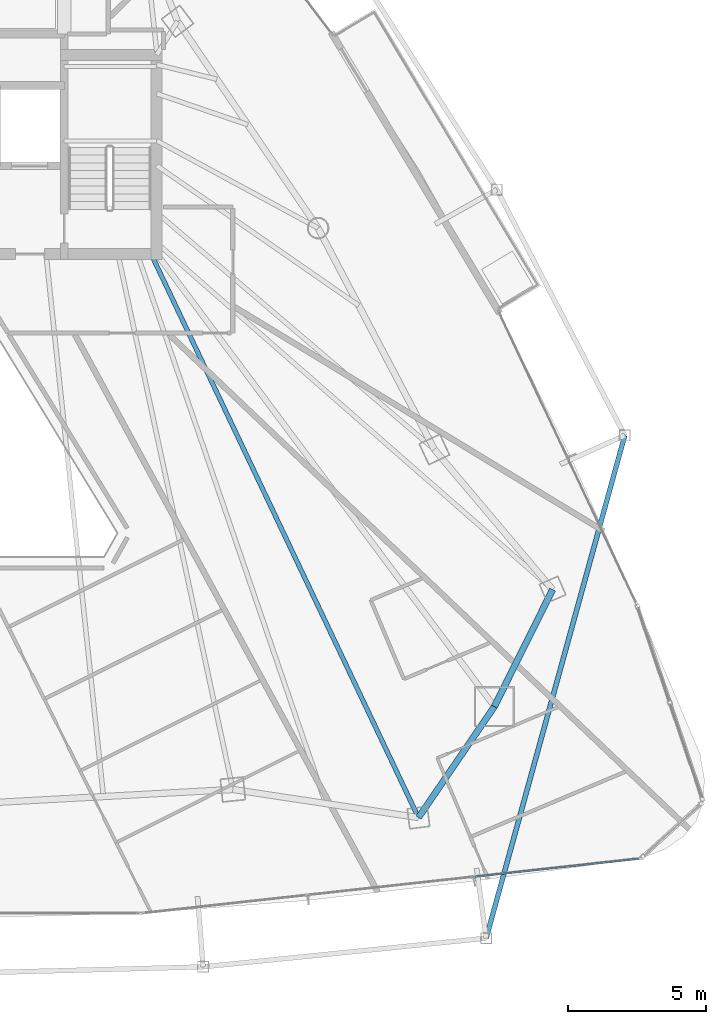
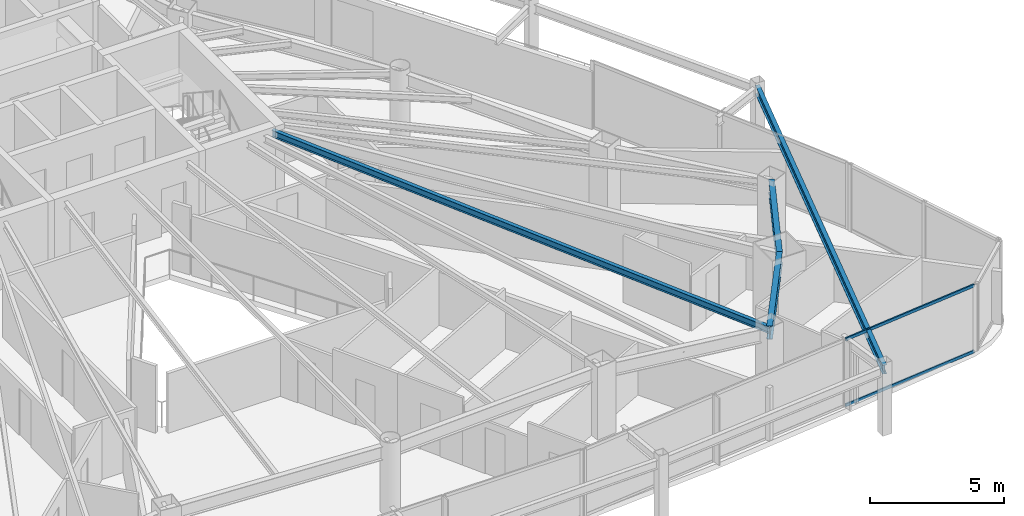
# One storey, part 12 of 31: 4 beams, 2 members, 1 element without a shape of its own.
"""IFC4 building model written with IfcOpenShell, lengths in metres."""

from ifc_helpers import new_model, si_unit, direction, frame, origin, origin_2d, place, context, subcontext, project, spatial, hollow_rectangle, i_section, extrude, material, layer, layer_set, material_profile, profile_set, type_object, element, aggregate, save


model = new_model("IFC4")

# Units and contexts
model_context = context("Model", 3, precision=1e-05, world=origin(), true_north=direction((0.0, 1.0)))
body_context = subcontext(model_context, "Body", "Model", "MODEL_VIEW")
ifc_project = project(units=[si_unit("LENGTHUNIT", "METRE"), si_unit("AREAUNIT", "SQUARE_METRE"), si_unit("VOLUMEUNIT", "CUBIC_METRE"), si_unit("PLANEANGLEUNIT", "RADIAN"), si_unit("MASSUNIT", "GRAM", prefix="KILO")], contexts=[model_context])

# Site, building, storey
site_placement = place(None, origin())
site = spatial("IfcSite", under=ifc_project, at=site_placement, CompositionType="ELEMENT")
building_placement = place(site_placement, origin())
building = spatial("IfcBuilding", under=site, at=building_placement, Name="Orvanel Arch Residences", CompositionType="ELEMENT")
storey_placement = place(building_placement, frame((0.0, 0.0, 110.0)))
storey = spatial("IfcBuildingStorey", under=building, at=storey_placement, Name="L30", CompositionType="ELEMENT", Elevation=110.0)

# Beams
ifc_material_1 = material(Name="Structural steel AS/NZS 3679.1 Grade 300 (300 MPa)", Category="steel")
ifc_material_profile_1 = material_profile(ifc_material_1, i_section(OverallWidth=0.1650390625, OverallDepth=0.303955078125, WebThickness=0.006103515625, FlangeThickness=0.01025390625, at=origin_2d()), Name="310UB40.4")
ifc_profile_set_1 = profile_set([ifc_material_profile_1], Name="Structural steel AS/NZS 3679.1 Grade 300 (300 MPa)")
beam_type_1 = type_object("IfcBeamType", Name="BJ-310UB", PredefinedType="JOIST", material=ifc_profile_set_1)
beam_1_placement = place(storey_placement, frame((39.39990234375, 26.699951171875, 2.907958984375), z_axis=(0.428614365266, -0.903487534993, 0.0), x_axis=(0.903487534993, 0.428614365266, 0.0)))
element("IfcBeam", 1, at=beam_1_placement, inside=storey, type_object=beam_type_1, Name="L30 MSE Wing Floor Joist", PredefinedType="JOIST", context=body_context, shape_type="SweptSolid", body=[
    extrude(i_section(OverallWidth=0.1650390625, OverallDepth=0.303955078125, WebThickness=0.006103515625, FlangeThickness=0.01025390625, at=origin_2d()), origin(), (0.0, 0.0, 1.0), 22.535888671875),
])
ifc_material_profile_2 = material_profile(ifc_material_1, i_section(OverallWidth=0.177978515625, OverallDepth=0.406005859375, WebThickness=0.0078125, FlangeThickness=0.0126953125, at=origin_2d()), Name="410UB59.7")
ifc_profile_set_2 = profile_set([ifc_material_profile_2], Name="Structural steel AS/NZS 3679.1 Grade 300 (300 MPa)")
beam_type_2 = type_object("IfcBeamType", Name="OB-410UB-EXT", PredefinedType="SPANDREL", material=ifc_profile_set_2)
beam_2_placement = place(storey_placement, frame((51.5048828125, 1.98095703125, 2.85693359375), z_axis=(0.265789930022, 0.964030971027, 0.0), x_axis=(-0.964030971027, 0.265789930022, 0.0)))
element("IfcBeam", 2, at=beam_2_placement, inside=storey, type_object=beam_type_2, Name="L30 Outer Perimeter Floor Ring Beam 08", PredefinedType="SPANDREL", context=body_context, shape_type="SweptSolid", body=[
    extrude(i_section(OverallWidth=0.177978515625, OverallDepth=0.406005859375, WebThickness=0.0078125, FlangeThickness=0.0126953125, at=origin_2d()), origin(), (0.0, 0.0, 1.0), 18.845947265625),
])
ifc_material_profile_3 = material_profile(ifc_material_1, i_section(OverallWidth=0.22900390625, OverallDepth=0.612060546875, WebThickness=0.011962890625, FlangeThickness=0.01953125, at=origin_2d()), Name="610UB125")
ifc_profile_set_3 = profile_set([ifc_material_profile_3], Name="Structural steel AS/NZS 3679.1 Grade 300 (300 MPa)")
beam_type_3 = type_object("IfcBeamType", Name="SP-610UB", PredefinedType="SPANDREL", material=ifc_profile_set_3)
beam_3_placement = place(storey_placement, frame((49.05908203125, 6.339111328125, 2.75390625), z_axis=(0.564251579852, 0.825602903722, 0.0), x_axis=(-0.825602903722, 0.564251579852, 0.0)))
element("IfcBeam", 3, at=beam_3_placement, inside=storey, type_object=beam_type_3, Name="L30 Perimeter Spandrel Beam 08", PredefinedType="SPANDREL", context=body_context, shape_type="SweptSolid", body=[
    extrude(i_section(OverallWidth=0.22900390625, OverallDepth=0.612060546875, WebThickness=0.011962890625, FlangeThickness=0.01953125, at=origin_2d()), origin(), (0.0, 0.0, 1.0), 4.859375),
])
beam_4_placement = place(storey_placement, frame((51.801025390625, 10.35107421875, 2.75390625), z_axis=(0.44543469453, 0.895314432425, 0.0), x_axis=(-0.895314432425, 0.44543469453, 0.0)))
element("IfcBeam", 4, at=beam_4_placement, inside=storey, type_object=beam_type_3, Name="L30 Perimeter Spandrel Beam 09", PredefinedType="SPANDREL", context=body_context, shape_type="SweptSolid", body=[
    extrude(i_section(OverallWidth=0.22900390625, OverallDepth=0.612060546875, WebThickness=0.011962890625, FlangeThickness=0.01953125, at=origin_2d()), origin(), (0.0, 0.0, 1.0), 4.723388671875),
])

# Curtain wall, members
ifc_material_2 = material(Name="Bronze-anodised aluminium AA6063-T6", Category="aluminium")
ifc_layer = layer(ifc_material_2, 0.179931640625)
ifc_layer_set = layer_set([ifc_layer], Name="Bronze-anodised aluminium AA6063-T6")
curtain_wall_type = type_object("IfcCurtainWallType", Name="CW3-MID-SYS", PredefinedType="NOTDEFINED", material=ifc_layer_set)
curtain_wall_placement = place(storey_placement, origin())
curtain_wall = element("IfcCurtainWall", 5, at=curtain_wall_placement, inside=storey, type_object=curtain_wall_type, Name="L30 CW3-MID-SYS Unitised Curtain Wall", PredefinedType="NOTDEFINED")
ifc_material_profile_4 = material_profile(ifc_material_2, hollow_rectangle(XDim=0.06005859375, YDim=0.135009765625, WallThickness=0.00390625, at=origin_2d()), Name="ALU135x60x4")
ifc_profile_set_4 = profile_set([ifc_material_profile_4], Name="Bronze-anodised aluminium AA6063-T6")
member_type = type_object("IfcMemberType", Name="TRN-135x60", PredefinedType="USERDEFINED", material=ifc_profile_set_4)
member_1_placement = place(storey_placement, frame((51.098388671875, 4.204833984375, 0.030029296875), z_axis=(0.994026709515, 0.109137073311, 0.0), x_axis=(-0.109137073311, 0.994026709515, 0.0)))
member_1 = element("IfcMember", 6, at=member_1_placement, type_object=member_type, Name="CW-S3 transom 3.1", ObjectType="TRANSOM", PredefinedType="USERDEFINED", context=body_context, shape_type="SweptSolid", body=[
    extrude(hollow_rectangle(XDim=0.06005859375, YDim=0.135009765625, WallThickness=0.00390625, at=origin_2d()), origin(), (0.0, 0.0, 1.0), 5.94140625),
])
member_2_placement = place(storey_placement, frame((51.098388671875, 4.204833984375, 3.030029296875), z_axis=(0.994026709515, 0.109137073311, 0.0), x_axis=(-0.109137073311, 0.994026709515, 0.0)))
member_2 = element("IfcMember", 7, at=member_2_placement, type_object=member_type, Name="CW-S3 transom 3.2", ObjectType="TRANSOM", PredefinedType="USERDEFINED", context=body_context, shape_type="SweptSolid", body=[
    extrude(hollow_rectangle(XDim=0.06005859375, YDim=0.135009765625, WallThickness=0.00390625, at=origin_2d()), origin(), (0.0, 0.0, 1.0), 5.94140625),
])
aggregate(curtain_wall, [member_1, member_2])

save(model, "model.ifc")
